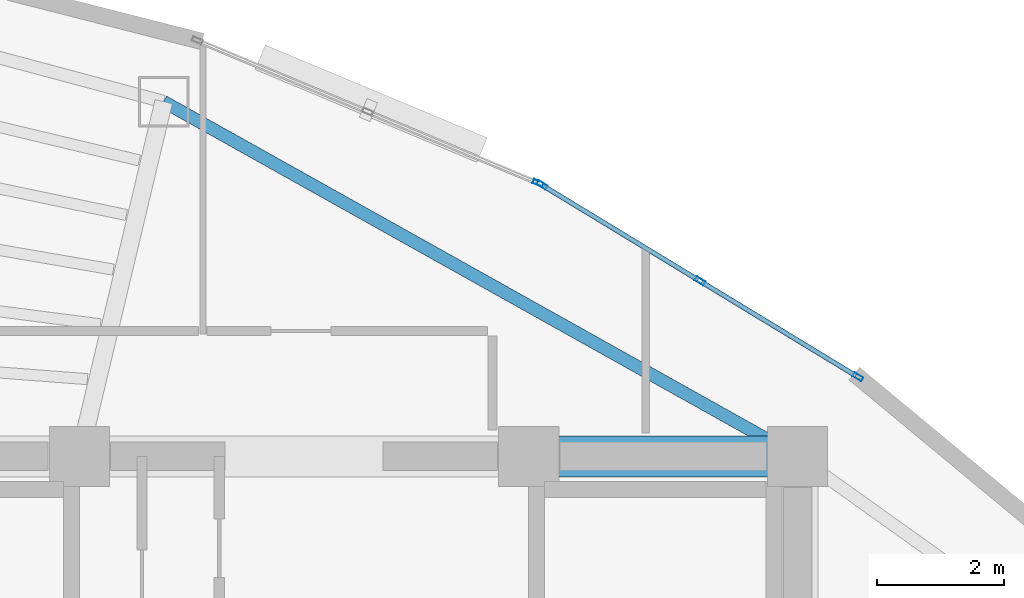
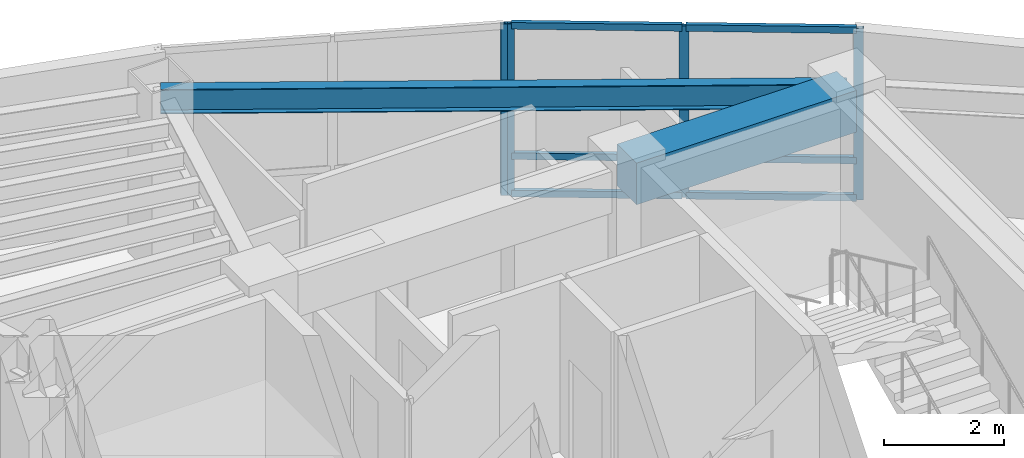
# One storey, part 10 of 15: 10 members, 2 beams, 2 elements without a shape of their own.
"""IFC4 building model written with IfcOpenShell, lengths in metres."""

from ifc_helpers import new_model, si_unit, direction, frame, origin, origin_2d, place, context, subcontext, project, spatial, rectangle, hollow_rectangle, i_section, extrude, material, layer, layer_set, material_profile, profile_set, type_object, element, aggregate, save


model = new_model("IFC4")

# Units and contexts
model_context = context("Model", 3, precision=1e-05, world=origin(), true_north=direction((0.0, 1.0)))
body_context = subcontext(model_context, "Body", "Model", "MODEL_VIEW")
ifc_project = project(units=[si_unit("LENGTHUNIT", "METRE"), si_unit("AREAUNIT", "SQUARE_METRE"), si_unit("VOLUMEUNIT", "CUBIC_METRE"), si_unit("PLANEANGLEUNIT", "RADIAN"), si_unit("MASSUNIT", "GRAM", prefix="KILO")], contexts=[model_context])

# Site, building, storey
site_placement = place(None, origin())
site = spatial("IfcSite", under=ifc_project, at=site_placement, CompositionType="ELEMENT")
building_placement = place(site_placement, origin())
building = spatial("IfcBuilding", under=site, at=building_placement, Name="Menara Vayukalpa", CompositionType="ELEMENT")
storey_placement = place(building_placement, frame((0.0, 0.0, 291.780029296875)))
storey = spatial("IfcBuildingStorey", under=building, at=storey_placement, Name="L74", CompositionType="ELEMENT", Elevation=291.780029296875)

# Beams
ifc_material_1 = material(Name="Concrete C60/75", Category="concrete")
ifc_material_profile_1 = material_profile(ifc_material_1, rectangle(XDim=0.64990234375, YDim=0.85009765625, at=origin_2d()), Name="RC 650x850")
ifc_profile_set_1 = profile_set([ifc_material_profile_1], Name="Concrete C60/75")
beam_type_1 = type_object("IfcBeamType", Name="BM-CB1", PredefinedType="BEAM", material=ifc_profile_set_1)
beam_1_placement = place(storey_placement, frame((29.14990234375, 26.800048828125, 3.074951171875), z_axis=(1.0, 0.0, 0.0), x_axis=(0.0, 1.0, 0.0)))
element("IfcBeam", 1, at=beam_1_placement, inside=storey, type_object=beam_type_1, Name="L74 Core Tie Beam CBR6", PredefinedType="BEAM", context=body_context, shape_type="SweptSolid", body=[
    extrude(rectangle(XDim=0.64990234375, YDim=0.85009765625, at=origin_2d()), origin(), (0.0, 0.0, 1.0), 4.25),
])
ifc_material_2 = material(Name="Steel S355", Category="steel")
ifc_material_profile_2 = material_profile(ifc_material_2, i_section(OverallWidth=0.199951171875, OverallDepth=0.5, WebThickness=0.010009765625, FlangeThickness=0.01611328125, at=origin_2d()), Name="WF 500x200x10x16")
ifc_profile_set_2 = profile_set([ifc_material_profile_2], Name="Steel S355")
beam_type_2 = type_object("IfcBeamType", Name="BM-SP3", PredefinedType="SPANDREL", material=ifc_profile_set_2)
beam_2_placement = place(storey_placement, frame((33.39990234375, 26.800048828125, 3.25), z_axis=(-0.87270577288, 0.48824648896, 0.0), x_axis=(-0.48824648896, -0.87270577288, 0.0)))
element("IfcBeam", 2, at=beam_2_placement, inside=storey, type_object=beam_type_2, Name="L74 Perimeter Spandrel Beam SP02", PredefinedType="SPANDREL", context=body_context, shape_type="SweptSolid", body=[
    extrude(i_section(OverallWidth=0.199951171875, OverallDepth=0.5, WebThickness=0.010009765625, FlangeThickness=0.01611328125, at=origin_2d()), origin(), (0.0, 0.0, 1.0), 11.479248046875),
])

# Curtain wall, members
ifc_material_3 = material(Name="Anodised Terracotta Aluminium Alloy 6063-T6", Category="masonry")
ifc_layer = layer(ifc_material_3, 0.1650390625)
ifc_layer_set = layer_set([ifc_layer], Name="Anodised Terracotta Aluminium Alloy 6063-T6")
curtain_wall_type = type_object("IfcCurtainWallType", Name="CW-CW6", PredefinedType="USERDEFINED", material=ifc_layer_set)
curtain_wall_1_placement = place(storey_placement, origin())
curtain_wall_1 = element("IfcCurtainWall", 3, at=curtain_wall_1_placement, inside=storey, type_object=curtain_wall_type, Name="L74 Observation and Executive Curtain Wall CW6 04", ObjectType="UNITISED", PredefinedType="USERDEFINED")
ifc_material_4 = material(Name="Anodised Terracotta Aluminium Alloy 6063-T6", Category="masonry")
ifc_material_profile_3 = material_profile(ifc_material_4, hollow_rectangle(XDim=0.070068359375, YDim=0.1650390625, WallThickness=0.00390625, at=origin_2d()), Name="ALU 70x165x4")
ifc_profile_set_3 = profile_set([ifc_material_profile_3], Name="Anodised Terracotta Aluminium Alloy 6063-T6")
member_type_1 = type_object("IfcMemberType", Name="CWM-CW6", PredefinedType="MULLION", material=ifc_profile_set_3)
member_1_placement = place(storey_placement, frame((34.35009765625, 28.056396484375, 0.0), z_axis=(0.0, 0.0, 1.0), x_axis=(-0.519175574558, -0.854667609532, 0.0)))
member_1 = element("IfcMember", 4, at=member_1_placement, type_object=member_type_1, Name="CW6 mullion 1", PredefinedType="MULLION", context=body_context, shape_type="SweptSolid", body=[
    extrude(hollow_rectangle(XDim=0.070068359375, YDim=0.1650390625, WallThickness=0.00390625, at=origin_2d()), origin(), (0.0, 0.0, 1.0), 3.5),
])
member_2_placement = place(storey_placement, frame((31.85546875, 29.57177734375, 0.0), z_axis=(0.0, 0.0, 1.0), x_axis=(-0.519175574558, -0.854667609532, 0.0)))
member_2 = element("IfcMember", 5, at=member_2_placement, type_object=member_type_1, Name="CW6 mullion 2", PredefinedType="MULLION", context=body_context, shape_type="SweptSolid", body=[
    extrude(hollow_rectangle(XDim=0.070068359375, YDim=0.1650390625, WallThickness=0.00390625, at=origin_2d()), origin(), (0.0, 0.0, 1.0), 3.5),
])
member_3_placement = place(storey_placement, frame((29.36083984375, 31.087158203125, 0.0), z_axis=(0.0, 0.0, 1.0), x_axis=(-0.519175574558, -0.854667609532, 0.0)))
member_3 = element("IfcMember", 6, at=member_3_placement, type_object=member_type_1, Name="CW6 mullion 3", PredefinedType="MULLION", context=body_context, shape_type="SweptSolid", body=[
    extrude(hollow_rectangle(XDim=0.070068359375, YDim=0.1650390625, WallThickness=0.00390625, at=origin_2d()), origin(), (0.0, 0.0, 1.0), 3.5),
])

# Curtain wall, member
curtain_wall_2_placement = place(storey_placement, origin())
curtain_wall_2 = element("IfcCurtainWall", 7, at=curtain_wall_2_placement, inside=storey, type_object=curtain_wall_type, Name="L74 Observation and Executive Curtain Wall CW6 05", ObjectType="UNITISED", PredefinedType="USERDEFINED")
member_4_placement = place(storey_placement, frame((29.298828125, 31.118896484375, 0.0), z_axis=(0.0, 0.0, 1.0), x_axis=(-0.385899911703, -0.922540653927, 0.0)))
member_4 = element("IfcMember", 8, at=member_4_placement, type_object=member_type_1, Name="CW6 mullion 1", PredefinedType="MULLION", context=body_context, shape_type="SweptSolid", body=[
    extrude(hollow_rectangle(XDim=0.070068359375, YDim=0.1650390625, WallThickness=0.00390625, at=origin_2d()), origin(), (0.0, 0.0, 1.0), 3.5),
])
aggregate(curtain_wall_2, [member_4])

# Member
ifc_material_5 = material(Name="Anodised Terracotta Aluminium Alloy 6063-T6", Category="masonry")
ifc_material_profile_4 = material_profile(ifc_material_5, hollow_rectangle(XDim=0.074951171875, YDim=0.135009765625, WallThickness=0.00390625, at=origin_2d()), Name="ALU 75x135x4")
ifc_profile_set_4 = profile_set([ifc_material_profile_4], Name="Anodised Terracotta Aluminium Alloy 6063-T6")
member_type_2 = type_object("IfcMemberType", Name="CWT-CW6", PredefinedType="USERDEFINED", material=ifc_profile_set_4)
member_5_placement = place(storey_placement, frame((34.320068359375, 28.07470703125, 0.037353515625), z_axis=(-0.854674800659, 0.519163736328, 0.0), x_axis=(-0.519163736328, -0.85467480066, 0.0)))
member_5 = element("IfcMember", 9, at=member_5_placement, type_object=member_type_2, Name="CW6 transom 1.1", ObjectType="TRANSOM", PredefinedType="USERDEFINED", context=body_context, shape_type="SweptSolid", body=[
    extrude(hollow_rectangle(XDim=0.074951171875, YDim=0.135009765625, WallThickness=0.00390625, at=origin_2d()), origin(), (0.0, 0.0, 1.0), 2.848876953125),
])

member_6_placement = place(storey_placement, frame((34.320068359375, 28.07470703125, 0.800048828125), z_axis=(-0.854674800659, 0.519163736328, 0.0), x_axis=(-0.519163736328, -0.85467480066, 0.0)))
member_6 = element("IfcMember", 10, at=member_6_placement, type_object=member_type_2, Name="CW6 transom 1.2", ObjectType="TRANSOM", PredefinedType="USERDEFINED", context=body_context, shape_type="SweptSolid", body=[
    extrude(hollow_rectangle(XDim=0.074951171875, YDim=0.135009765625, WallThickness=0.00390625, at=origin_2d()), origin(), (0.0, 0.0, 1.0), 2.848876953125),
])

member_7_placement = place(storey_placement, frame((34.320068359375, 28.07470703125, 3.46240234375), z_axis=(-0.854674800659, 0.519163736328, 0.0), x_axis=(-0.519163736328, -0.85467480066, 0.0)))
member_7 = element("IfcMember", 11, at=member_7_placement, type_object=member_type_2, Name="CW6 transom 1.3", ObjectType="TRANSOM", PredefinedType="USERDEFINED", context=body_context, shape_type="SweptSolid", body=[
    extrude(hollow_rectangle(XDim=0.074951171875, YDim=0.135009765625, WallThickness=0.00390625, at=origin_2d()), origin(), (0.0, 0.0, 1.0), 2.848876953125),
])

member_8_placement = place(storey_placement, frame((31.825439453125, 29.590087890625, 0.037353515625), z_axis=(-0.854689729536, 0.519139158825, 0.0), x_axis=(-0.519139158825, -0.854689729536, 0.0)))
member_8 = element("IfcMember", 12, at=member_8_placement, type_object=member_type_2, Name="CW6 transom 2.1", ObjectType="TRANSOM", PredefinedType="USERDEFINED", context=body_context, shape_type="SweptSolid", body=[
    extrude(hollow_rectangle(XDim=0.074951171875, YDim=0.135009765625, WallThickness=0.00390625, at=origin_2d()), origin(), (0.0, 0.0, 1.0), 2.848388671875),
])

member_9_placement = place(storey_placement, frame((31.825439453125, 29.590087890625, 0.800048828125), z_axis=(-0.854689729536, 0.519139158825, 0.0), x_axis=(-0.519139158825, -0.854689729536, 0.0)))
member_9 = element("IfcMember", 13, at=member_9_placement, type_object=member_type_2, Name="CW6 transom 2.2", ObjectType="TRANSOM", PredefinedType="USERDEFINED", context=body_context, shape_type="SweptSolid", body=[
    extrude(hollow_rectangle(XDim=0.074951171875, YDim=0.135009765625, WallThickness=0.00390625, at=origin_2d()), origin(), (0.0, 0.0, 1.0), 2.848388671875),
])

member_10_placement = place(storey_placement, frame((31.825439453125, 29.590087890625, 3.46240234375), z_axis=(-0.854689729536, 0.519139158825, 0.0), x_axis=(-0.519139158825, -0.854689729536, 0.0)))
member_10 = element("IfcMember", 14, at=member_10_placement, type_object=member_type_2, Name="CW6 transom 2.3", ObjectType="TRANSOM", PredefinedType="USERDEFINED", context=body_context, shape_type="SweptSolid", body=[
    extrude(hollow_rectangle(XDim=0.074951171875, YDim=0.135009765625, WallThickness=0.00390625, at=origin_2d()), origin(), (0.0, 0.0, 1.0), 2.848388671875),
])

aggregate(curtain_wall_1, [member_1, member_2, member_3, member_5, member_6, member_7, member_8, member_9, member_10])

save(model, "model.ifc")
